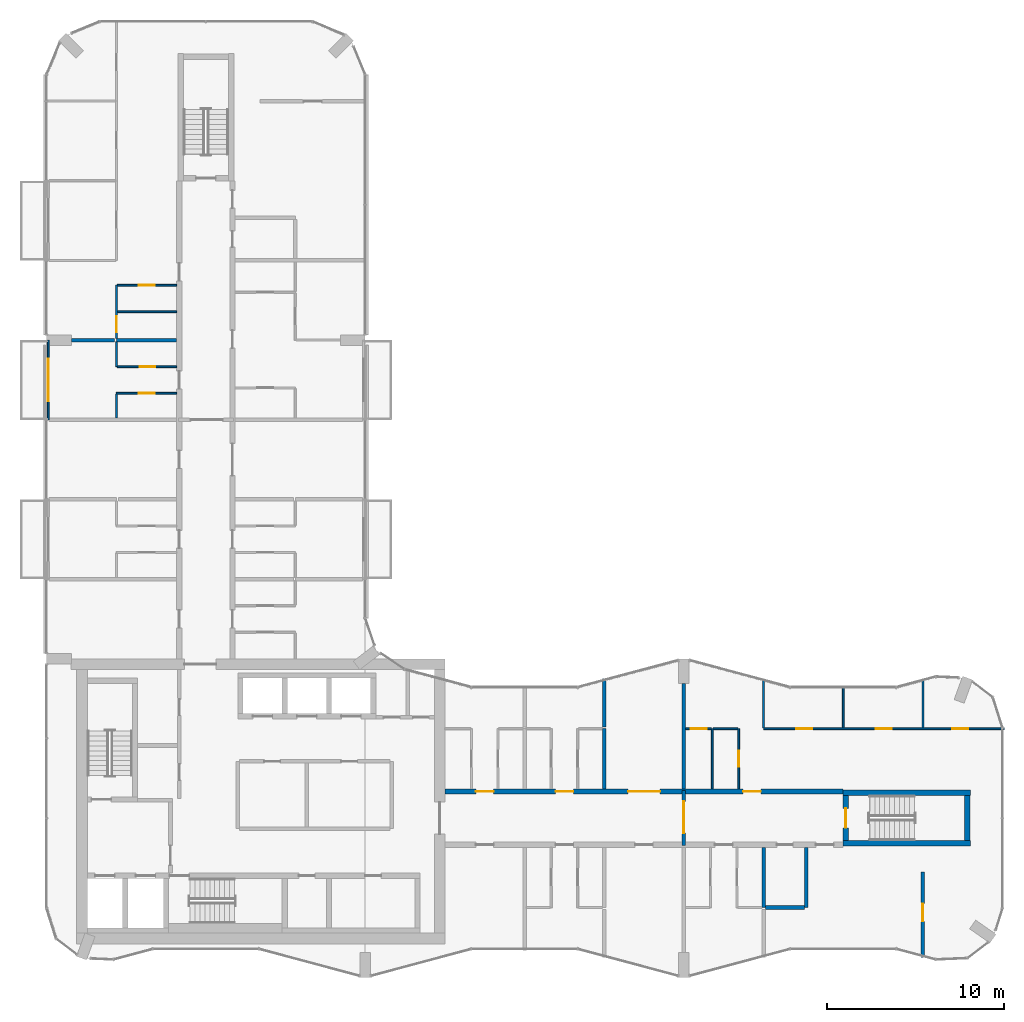
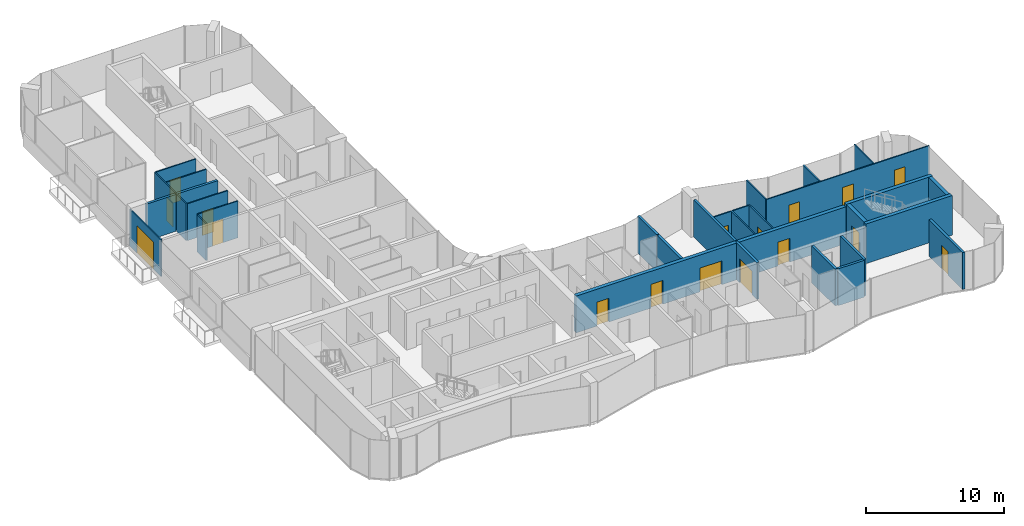
# One storey, part 12 of 16: 31 walls, 17 doors, 17 openings.
"""IFC4 building model written with IfcOpenShell, lengths in metres."""

from ifc_helpers import new_model, si_unit, direction, frame, frame_2d, origin, place, context, subcontext, project, spatial, rectangle, extrude, material, layer, layer_set, type_object, element, fill, save


model = new_model("IFC4")

# Units and contexts
model_context = context("Model", 3, precision=1e-05, world=origin(), true_north=direction((0.0, 1.0)))
body_context = subcontext(model_context, "Body", "Model", "MODEL_VIEW")
ifc_project = project(units=[si_unit("LENGTHUNIT", "METRE"), si_unit("AREAUNIT", "SQUARE_METRE"), si_unit("VOLUMEUNIT", "CUBIC_METRE"), si_unit("PLANEANGLEUNIT", "RADIAN"), si_unit("MASSUNIT", "GRAM", prefix="KILO")], contexts=[model_context])

# Site, building, storey
site_placement = place(None, origin())
site = spatial("IfcSite", under=ifc_project, at=site_placement, CompositionType="ELEMENT")
building_placement = place(site_placement, origin())
building = spatial("IfcBuilding", under=site, at=building_placement, Name="Plateau Cross Towers", CompositionType="ELEMENT")
storey_placement = place(building_placement, frame((0.0, 0.0, 160.39990234375)))
storey = spatial("IfcBuildingStorey", under=building, at=storey_placement, Name="L41", CompositionType="ELEMENT", Elevation=160.39990234375)

# Wall, opening, door
ifc_material_1 = material(Name="Aluminium framed glazing", Category="aluminium")
ifc_layer_1 = layer(ifc_material_1, 0.10009765625)
ifc_layer_set_1 = layer_set([ifc_layer_1], Name="Aluminium framed glazing")
wall_type_1 = type_object("IfcWallType", Name="Balcony screen wall 100", PredefinedType="STANDARD", material=ifc_layer_set_1)
wall_1_placement = place(storey_placement, frame((0.10009765625, 31.5, 0.0), z_axis=(0.0, 0.0, 1.0), x_axis=(0.0, 1.0, 0.0)))
wall_1 = element("IfcWall", 1, at=wall_1_placement, inside=storey, type_object=wall_type_1, Name="Balcony screen wall A-BAL-L41-02", PredefinedType="STANDARD", context=body_context, shape_type="SweptSolid", body=[
    extrude(rectangle(XDim=4.5, YDim=0.10009765625, at=frame_2d((2.25, 0.0))), origin(), (0.0, 0.0, 1.0), 3.25),
])
opening_1_placement = place(wall_1_placement, frame((1.050048828125, 0.0, 0.0)))
opening_1 = element("IfcOpeningElement", 2, at=opening_1_placement, cuts=wall_1, Name="Opening D-B24", PredefinedType="OPENING", context=body_context, shape_type="SweptSolid", body=[
    extrude(rectangle(XDim=2.39990234375, YDim=2.39990234375, at=frame_2d((1.199951171875, 1.199951171875))), frame((0.0, 0.06005859375, 0.0), z_axis=(0.0, -1.0, 0.0), x_axis=(1.0, 0.0, 0.0)), (0.0, 0.0, 1.0), 0.1201171875),
])
ifc_material_2 = material(Name="Aluminium frame, double glazing", Category="aluminium")
door_type_1 = type_object("IfcDoorType", Name="Balcony sliding door 2400", OperationType="NOTDEFINED", PredefinedType="DOOR", material=ifc_material_2)
door_1_placement = place(opening_1_placement, origin())
door_1 = element("IfcDoor", 3, at=door_1_placement, inside=storey, type_object=door_type_1, Name="Balcony door A-BAL-L41-02", OperationType="SINGLE_SWING_LEFT", OverallHeight=2.39990234375, OverallWidth=2.39990234375, PredefinedType="DOOR", context=body_context, shape_type="SweptSolid", body=[
    extrude(rectangle(XDim=2.39990234375, YDim=2.39990234375, at=frame_2d((1.199951171875, 1.199951171875))), frame((0.0, 0.02490234375, 0.0), z_axis=(0.0, -1.0, 0.0), x_axis=(1.0, 0.0, 0.0)), (0.0, 0.0, 1.0), 0.050048828125),
])
fill(opening_1, door_1)

# Wall, openings, doors
ifc_material_3 = material(Name="Concrete C60/75", Category="concrete")
ifc_layer_2 = layer(ifc_material_3, 0.300048828125)
ifc_layer_set_2 = layer_set([ifc_layer_2], Name="Concrete C60/75")
wall_type_2 = type_object("IfcWallType", Name="Corridor wall 300", PredefinedType="SHEAR", material=ifc_layer_set_2)
wall_2_placement = place(storey_placement, frame((22.5, 10.5, 0.0), z_axis=(0.0, 0.0, 1.0), x_axis=(1.0, 0.0, 0.0)))
wall_2 = element("IfcWall", 4, at=wall_2_placement, inside=storey, type_object=wall_type_2, Name="A-cw-S2@L41", PredefinedType="SHEAR", context=body_context, shape_type="SweptSolid", body=[
    extrude(rectangle(XDim=22.5, YDim=0.300048828125, at=frame_2d((11.25, 0.0))), origin(), (0.0, 0.0, 1.0), 3.25),
])
opening_2_placement = place(wall_2_placement, frame((1.75, 0.0, 0.0)))
opening_2 = element("IfcOpeningElement", 5, at=opening_2_placement, cuts=wall_2, Name="Opening 41-07", PredefinedType="OPENING", context=body_context, shape_type="SweptSolid", body=[
    extrude(rectangle(XDim=1.0, YDim=2.10009765625, at=frame_2d((0.5, 1.050048828125))), frame((0.0, 0.159912109375, 0.0), z_axis=(0.0, -1.0, 0.0), x_axis=(1.0, 0.0, 0.0)), (0.0, 0.0, 1.0), 0.320068359375),
])
opening_3_placement = place(wall_2_placement, frame((6.25, 0.0, 0.0)))
opening_3 = element("IfcOpeningElement", 6, at=opening_3_placement, cuts=wall_2, Name="Opening 41-08", PredefinedType="OPENING", context=body_context, shape_type="SweptSolid", body=[
    extrude(rectangle(XDim=1.0, YDim=2.10009765625, at=frame_2d((0.5, 1.050048828125))), frame((0.0, 0.159912109375, 0.0), z_axis=(0.0, -1.0, 0.0), x_axis=(1.0, 0.0, 0.0)), (0.0, 0.0, 1.0), 0.320068359375),
])
opening_4_placement = place(wall_2_placement, frame((10.35009765625, 0.0, 0.0)))
opening_4 = element("IfcOpeningElement", 7, at=opening_4_placement, cuts=wall_2, Name="Opening 41-09", PredefinedType="OPENING", context=body_context, shape_type="SweptSolid", body=[
    extrude(rectangle(XDim=1.800048828125, YDim=2.10009765625, at=frame_2d((0.89990234375, 1.050048828125))), frame((0.0, 0.159912109375, 0.0), z_axis=(0.0, -1.0, 0.0), x_axis=(1.0, 0.0, 0.0)), (0.0, 0.0, 1.0), 0.320068359375),
])
opening_5_placement = place(wall_2_placement, frame((16.85009765625, 0.0, 0.0)))
opening_5 = element("IfcOpeningElement", 8, at=opening_5_placement, cuts=wall_2, Name="Opening 41-10", PredefinedType="OPENING", context=body_context, shape_type="SweptSolid", body=[
    extrude(rectangle(XDim=1.0, YDim=2.10009765625, at=frame_2d((0.5, 1.050048828125))), frame((0.0, 0.159912109375, 0.0), z_axis=(0.0, -1.0, 0.0), x_axis=(1.0, 0.0, 0.0)), (0.0, 0.0, 1.0), 0.320068359375),
])
ifc_material_4 = material(Name="Timber, fire-resisting leaf", Category="wood")
door_type_2 = type_object("IfcDoorType", Name="Flat entrance door 1000", OperationType="NOTDEFINED", PredefinedType="DOOR", material=ifc_material_4)
door_2_placement = place(opening_2_placement, origin())
door_2 = element("IfcDoor", 9, at=door_2_placement, inside=storey, type_object=door_type_2, Name="Door 41-07", OperationType="SINGLE_SWING_LEFT", OverallHeight=2.10009765625, OverallWidth=1.0, PredefinedType="DOOR", context=body_context, shape_type="SweptSolid", body=[
    extrude(rectangle(XDim=1.0, YDim=2.10009765625, at=frame_2d((0.5, 1.050048828125))), frame((0.0, 0.02490234375, 0.0), z_axis=(0.0, -1.0, 0.0), x_axis=(1.0, 0.0, 0.0)), (0.0, 0.0, 1.0), 0.050048828125),
])
fill(opening_2, door_2)
door_3_placement = place(opening_3_placement, origin())
door_3 = element("IfcDoor", 10, at=door_3_placement, inside=storey, type_object=door_type_2, Name="Door 41-08", OperationType="SINGLE_SWING_LEFT", OverallHeight=2.10009765625, OverallWidth=1.0, PredefinedType="DOOR", context=body_context, shape_type="SweptSolid", body=[
    extrude(rectangle(XDim=1.0, YDim=2.10009765625, at=frame_2d((0.5, 1.050048828125))), frame((0.0, 0.02490234375, 0.0), z_axis=(0.0, -1.0, 0.0), x_axis=(1.0, 0.0, 0.0)), (0.0, 0.0, 1.0), 0.050048828125),
])
fill(opening_3, door_3)
door_4_placement = place(opening_5_placement, origin())
door_4 = element("IfcDoor", 11, at=door_4_placement, inside=storey, type_object=door_type_2, Name="Door 41-10", OperationType="SINGLE_SWING_RIGHT", OverallHeight=2.10009765625, OverallWidth=1.0, PredefinedType="DOOR", context=body_context, shape_type="SweptSolid", body=[
    extrude(rectangle(XDim=1.0, YDim=2.10009765625, at=frame_2d((0.5, 1.050048828125))), frame((0.0, 0.02490234375, 0.0), z_axis=(0.0, -1.0, 0.0), x_axis=(1.0, 0.0, 0.0)), (0.0, 0.0, 1.0), 0.050048828125),
])
fill(opening_5, door_4)
ifc_material_5 = material(Name="Timber, fire-resisting leaves", Category="wood")
door_type_3 = type_object("IfcDoorType", Name="Flat floor fire door pair 1800", OperationType="NOTDEFINED", PredefinedType="DOOR", material=ifc_material_5)
door_5_placement = place(opening_4_placement, origin())
door_5 = element("IfcDoor", 12, at=door_5_placement, inside=storey, type_object=door_type_3, Name="Door 41-09", OperationType="SINGLE_SWING_LEFT", OverallHeight=2.10009765625, OverallWidth=1.800048828125, PredefinedType="DOOR", context=body_context, shape_type="SweptSolid", body=[
    extrude(rectangle(XDim=1.800048828125, YDim=2.10009765625, at=frame_2d((0.89990234375, 1.050048828125))), frame((0.0, 0.02490234375, 0.0), z_axis=(0.0, -1.0, 0.0), x_axis=(1.0, 0.0, 0.0)), (0.0, 0.0, 1.0), 0.050048828125),
])
fill(opening_4, door_5)

# Wall, opening, door
ifc_material_6 = material(Name="Gypsum board on steel studs", Category="steel")
ifc_layer_3 = layer(ifc_material_6, 0.10009765625)
ifc_layer_set_3 = layer_set([ifc_layer_3], Name="Gypsum board on steel studs")
wall_type_3 = type_object("IfcWallType", Name="Flat partition 100", PredefinedType="PARTITIONING", material=ifc_layer_set_3)
wall_3_placement = place(storey_placement, frame((37.550048828125, 14.050048828125, 0.0), z_axis=(0.0, 0.0, 1.0), x_axis=(-1.0, 0.0, 0.0)))
wall_3 = element("IfcWall", 13, at=wall_3_placement, inside=storey, type_object=wall_type_3, Name="Partition wall", PredefinedType="PARTITIONING", context=body_context, shape_type="SweptSolid", body=[
    extrude(rectangle(XDim=1.449951171875, YDim=0.10009765625, at=frame_2d((0.72509765625, 0.0))), origin(), (0.0, 0.0, 1.0), 3.25),
])
opening_6_placement = place(wall_3_placement, frame((0.25, 0.0, 0.0)))
opening_6 = element("IfcOpeningElement", 14, at=opening_6_placement, cuts=wall_3, Name="Opening 41-34", PredefinedType="OPENING", context=body_context, shape_type="SweptSolid", body=[
    extrude(rectangle(XDim=0.89990234375, YDim=2.10009765625, at=frame_2d((0.449951171875, 1.050048828125))), frame((0.0, 0.06005859375, 0.0), z_axis=(0.0, -1.0, 0.0), x_axis=(1.0, 0.0, 0.0)), (0.0, 0.0, 1.0), 0.1201171875),
])
ifc_material_7 = material(Name="Timber leaf", Category="wood")
door_type_4 = type_object("IfcDoorType", Name="Flat room door 900", OperationType="NOTDEFINED", PredefinedType="DOOR", material=ifc_material_7)
door_6_placement = place(opening_6_placement, origin())
door_6 = element("IfcDoor", 15, at=door_6_placement, inside=storey, type_object=door_type_4, Name="Door 41-34", OperationType="SINGLE_SWING_LEFT", OverallHeight=2.10009765625, OverallWidth=0.89990234375, PredefinedType="DOOR", context=body_context, shape_type="SweptSolid", body=[
    extrude(rectangle(XDim=0.89990234375, YDim=2.10009765625, at=frame_2d((0.449951171875, 1.050048828125))), frame((0.0, 0.02490234375, 0.0), z_axis=(0.0, -1.0, 0.0), x_axis=(1.0, 0.0, 0.0)), (0.0, 0.0, 1.0), 0.050048828125),
])
fill(opening_6, door_6)

# Wall
wall_4_placement = place(storey_placement, frame((39.050048828125, 14.050048828125, 0.0), z_axis=(0.0, 0.0, 1.0), x_axis=(-1.0, 0.0, 0.0)))
element("IfcWall", 16, at=wall_4_placement, inside=storey, type_object=wall_type_3, Name="Partition wall", PredefinedType="PARTITIONING", context=body_context, shape_type="SweptSolid", body=[
    extrude(rectangle(XDim=1.400146484375, YDim=0.10009765625, at=frame_2d((0.7001953125, 0.0))), origin(), (0.0, 0.0, 1.0), 3.25),
])

# Wall, openings, doors
wall_5_placement = place(storey_placement, frame((40.5, 14.050048828125, 0.0), z_axis=(0.0, 0.0, 1.0), x_axis=(1.0, 0.0, 0.0)))
wall_5 = element("IfcWall", 17, at=wall_5_placement, inside=storey, type_object=wall_type_3, Name="Partition wall", PredefinedType="PARTITIONING", context=body_context, shape_type="SweptSolid", body=[
    extrude(rectangle(XDim=13.580078125, YDim=0.10009765625, at=frame_2d((6.7900390625, 0.0))), origin(), (0.0, 0.0, 1.0), 3.25),
])
opening_7_placement = place(wall_5_placement, frame((1.85009765625, 0.0, 0.0)))
opening_7 = element("IfcOpeningElement", 18, at=opening_7_placement, cuts=wall_5, Name="Opening 41-36", PredefinedType="OPENING", context=body_context, shape_type="SweptSolid", body=[
    extrude(rectangle(XDim=0.89990234375, YDim=2.10009765625, at=frame_2d((0.449951171875, 1.050048828125))), frame((0.0, 0.06005859375, 0.0), z_axis=(0.0, -1.0, 0.0), x_axis=(1.0, 0.0, 0.0)), (0.0, 0.0, 1.0), 0.1201171875),
])
opening_8_placement = place(wall_5_placement, frame((6.35009765625, 0.0, 0.0)))
opening_8 = element("IfcOpeningElement", 19, at=opening_8_placement, cuts=wall_5, Name="Opening 41-37", PredefinedType="OPENING", context=body_context, shape_type="SweptSolid", body=[
    extrude(rectangle(XDim=0.89990234375, YDim=2.10009765625, at=frame_2d((0.449951171875, 1.050048828125))), frame((0.0, 0.06005859375, 0.0), z_axis=(0.0, -1.0, 0.0), x_axis=(1.0, 0.0, 0.0)), (0.0, 0.0, 1.0), 0.1201171875),
])
opening_9_placement = place(wall_5_placement, frame((10.64990234375, 0.0, 0.0)))
opening_9 = element("IfcOpeningElement", 20, at=opening_9_placement, cuts=wall_5, Name="Opening 41-38", PredefinedType="OPENING", context=body_context, shape_type="SweptSolid", body=[
    extrude(rectangle(XDim=0.89990234375, YDim=2.10009765625, at=frame_2d((0.449951171875, 1.050048828125))), frame((0.0, 0.06005859375, 0.0), z_axis=(0.0, -1.0, 0.0), x_axis=(1.0, 0.0, 0.0)), (0.0, 0.0, 1.0), 0.1201171875),
])
door_7_placement = place(opening_7_placement, origin())
door_7 = element("IfcDoor", 21, at=door_7_placement, inside=storey, type_object=door_type_4, Name="Door 41-36", OperationType="SINGLE_SWING_LEFT", OverallHeight=2.10009765625, OverallWidth=0.89990234375, PredefinedType="DOOR", context=body_context, shape_type="SweptSolid", body=[
    extrude(rectangle(XDim=0.89990234375, YDim=2.10009765625, at=frame_2d((0.449951171875, 1.050048828125))), frame((0.0, 0.02490234375, 0.0), z_axis=(0.0, -1.0, 0.0), x_axis=(1.0, 0.0, 0.0)), (0.0, 0.0, 1.0), 0.050048828125),
])
fill(opening_7, door_7)
door_8_placement = place(opening_8_placement, origin())
door_8 = element("IfcDoor", 22, at=door_8_placement, inside=storey, type_object=door_type_4, Name="Door 41-37", OperationType="SINGLE_SWING_RIGHT", OverallHeight=2.10009765625, OverallWidth=0.89990234375, PredefinedType="DOOR", context=body_context, shape_type="SweptSolid", body=[
    extrude(rectangle(XDim=0.89990234375, YDim=2.10009765625, at=frame_2d((0.449951171875, 1.050048828125))), frame((0.0, 0.02490234375, 0.0), z_axis=(0.0, -1.0, 0.0), x_axis=(1.0, 0.0, 0.0)), (0.0, 0.0, 1.0), 0.050048828125),
])
fill(opening_8, door_8)
door_9_placement = place(opening_9_placement, origin())
door_9 = element("IfcDoor", 23, at=door_9_placement, inside=storey, type_object=door_type_4, Name="Door 41-38", OperationType="SINGLE_SWING_RIGHT", OverallHeight=2.10009765625, OverallWidth=0.89990234375, PredefinedType="DOOR", context=body_context, shape_type="SweptSolid", body=[
    extrude(rectangle(XDim=0.89990234375, YDim=2.10009765625, at=frame_2d((0.449951171875, 1.050048828125))), frame((0.0, 0.02490234375, 0.0), z_axis=(0.0, -1.0, 0.0), x_axis=(1.0, 0.0, 0.0)), (0.0, 0.0, 1.0), 0.050048828125),
])
fill(opening_9, door_9)

# Wall, opening, door
wall_6_placement = place(storey_placement, frame((7.35009765625, 33.0, 0.0), z_axis=(0.0, 0.0, 1.0), x_axis=(-1.0, 0.0, 0.0)))
wall_6 = element("IfcWall", 24, at=wall_6_placement, inside=storey, type_object=wall_type_3, Name="Partition wall", PredefinedType="PARTITIONING", context=body_context, shape_type="SweptSolid", body=[
    extrude(rectangle(XDim=3.400146484375, YDim=0.10009765625, at=frame_2d((1.7001953125, 0.0))), origin(), (0.0, 0.0, 1.0), 3.25),
])
opening_10_placement = place(wall_6_placement, frame((1.25, 0.0, 0.0)))
opening_10 = element("IfcOpeningElement", 25, at=opening_10_placement, cuts=wall_6, Name="Opening 41-41", PredefinedType="OPENING", context=body_context, shape_type="SweptSolid", body=[
    extrude(rectangle(XDim=0.89990234375, YDim=2.10009765625, at=frame_2d((0.449951171875, 1.050048828125))), frame((0.0, 0.06005859375, 0.0), z_axis=(0.0, -1.0, 0.0), x_axis=(1.0, 0.0, 0.0)), (0.0, 0.0, 1.0), 0.1201171875),
])
door_10_placement = place(opening_10_placement, origin())
door_10 = element("IfcDoor", 26, at=door_10_placement, inside=storey, type_object=door_type_4, Name="Door 41-41", OperationType="SINGLE_SWING_RIGHT", OverallHeight=2.10009765625, OverallWidth=0.89990234375, PredefinedType="DOOR", context=body_context, shape_type="SweptSolid", body=[
    extrude(rectangle(XDim=0.89990234375, YDim=2.10009765625, at=frame_2d((0.449951171875, 1.050048828125))), frame((0.0, 0.02490234375, 0.0), z_axis=(0.0, -1.0, 0.0), x_axis=(1.0, 0.0, 0.0)), (0.0, 0.0, 1.0), 0.050048828125),
])
fill(opening_10, door_10)

wall_7_placement = place(storey_placement, frame((4.0, 34.5, 0.0), z_axis=(0.0, 0.0, 1.0), x_axis=(1.0, 0.0, 0.0)))
wall_7 = element("IfcWall", 27, at=wall_7_placement, inside=storey, type_object=wall_type_3, Name="Partition wall", PredefinedType="PARTITIONING", context=body_context, shape_type="SweptSolid", body=[
    extrude(rectangle(XDim=3.35009765625, YDim=0.10009765625, at=frame_2d((1.675048828125, 0.0))), origin(), (0.0, 0.0, 1.0), 3.25),
])
opening_11_placement = place(wall_7_placement, frame((1.25, 0.0, 0.0)))
opening_11 = element("IfcOpeningElement", 28, at=opening_11_placement, cuts=wall_7, Name="Opening 41-42", PredefinedType="OPENING", context=body_context, shape_type="SweptSolid", body=[
    extrude(rectangle(XDim=0.89990234375, YDim=2.10009765625, at=frame_2d((0.449951171875, 1.050048828125))), frame((0.0, 0.06005859375, 0.0), z_axis=(0.0, -1.0, 0.0), x_axis=(1.0, 0.0, 0.0)), (0.0, 0.0, 1.0), 0.1201171875),
])
door_11_placement = place(opening_11_placement, origin())
door_11 = element("IfcDoor", 29, at=door_11_placement, inside=storey, type_object=door_type_4, Name="Door 41-42", OperationType="SINGLE_SWING_RIGHT", OverallHeight=2.10009765625, OverallWidth=0.89990234375, PredefinedType="DOOR", context=body_context, shape_type="SweptSolid", body=[
    extrude(rectangle(XDim=0.89990234375, YDim=2.10009765625, at=frame_2d((0.449951171875, 1.050048828125))), frame((0.0, 0.02490234375, 0.0), z_axis=(0.0, -1.0, 0.0), x_axis=(1.0, 0.0, 0.0)), (0.0, 0.0, 1.0), 0.050048828125),
])
fill(opening_11, door_11)

# Wall
wall_8_placement = place(storey_placement, frame((7.35009765625, 37.60009765625, 0.0), z_axis=(0.0, 0.0, 1.0), x_axis=(-1.0, 0.0, 0.0)))
element("IfcWall", 30, at=wall_8_placement, inside=storey, type_object=wall_type_3, Name="Partition wall", PredefinedType="PARTITIONING", context=body_context, shape_type="SweptSolid", body=[
    extrude(rectangle(XDim=3.35009765625, YDim=0.10009765625, at=frame_2d((1.675048828125, 0.0))), origin(), (0.0, 0.0, 1.0), 3.25),
])

# Wall, opening, door
wall_9_placement = place(storey_placement, frame((7.35009765625, 39.10009765625, 0.0), z_axis=(0.0, 0.0, 1.0), x_axis=(-1.0, 0.0, 0.0)))
wall_9 = element("IfcWall", 31, at=wall_9_placement, inside=storey, type_object=wall_type_3, Name="Partition wall", PredefinedType="PARTITIONING", context=body_context, shape_type="SweptSolid", body=[
    extrude(rectangle(XDim=3.35009765625, YDim=0.10009765625, at=frame_2d((1.675048828125, 0.0))), origin(), (0.0, 0.0, 1.0), 3.25),
])
opening_12_placement = place(wall_9_placement, frame((1.25, 0.0, 0.0)))
opening_12 = element("IfcOpeningElement", 32, at=opening_12_placement, cuts=wall_9, Name="Opening 41-44", PredefinedType="OPENING", context=body_context, shape_type="SweptSolid", body=[
    extrude(rectangle(XDim=0.89990234375, YDim=2.10009765625, at=frame_2d((0.449951171875, 1.050048828125))), frame((0.0, 0.06005859375, 0.0), z_axis=(0.0, -1.0, 0.0), x_axis=(1.0, 0.0, 0.0)), (0.0, 0.0, 1.0), 0.1201171875),
])
door_12_placement = place(opening_12_placement, origin())
door_12 = element("IfcDoor", 33, at=door_12_placement, inside=storey, type_object=door_type_4, Name="Door 41-44", OperationType="SINGLE_SWING_RIGHT", OverallHeight=2.10009765625, OverallWidth=0.89990234375, PredefinedType="DOOR", context=body_context, shape_type="SweptSolid", body=[
    extrude(rectangle(XDim=0.89990234375, YDim=2.10009765625, at=frame_2d((0.449951171875, 1.050048828125))), frame((0.0, 0.02490234375, 0.0), z_axis=(0.0, -1.0, 0.0), x_axis=(1.0, 0.0, 0.0)), (0.0, 0.0, 1.0), 0.050048828125),
])
fill(opening_12, door_12)

# Walls
wall_10_placement = place(storey_placement, frame((3.949951171875, 32.949951171875, 0.0), z_axis=(0.0, 0.0, 1.0), x_axis=(0.0, -1.0, 0.0)))
element("IfcWall", 34, at=wall_10_placement, inside=storey, type_object=wall_type_3, Name="Partition wall", PredefinedType="PARTITIONING", context=body_context, shape_type="SweptSolid", body=[
    extrude(rectangle(XDim=1.349853515625, YDim=0.10009765625, at=frame_2d((0.6748046875, 0.0))), origin(), (0.0, 0.0, 1.0), 3.25),
])
wall_11_placement = place(storey_placement, frame((3.949951171875, 35.89990234375, 0.0), z_axis=(0.0, 0.0, 1.0), x_axis=(0.0, -1.0, 0.0)))
element("IfcWall", 35, at=wall_11_placement, inside=storey, type_object=wall_type_3, Name="Partition wall", PredefinedType="PARTITIONING", context=body_context, shape_type="SweptSolid", body=[
    extrude(rectangle(XDim=1.39990234375, YDim=0.10009765625, at=frame_2d((0.699951171875, 0.0))), origin(), (0.0, 0.0, 1.0), 3.25),
])

# Wall, opening, door
wall_12_placement = place(storey_placement, frame((3.949951171875, 39.10009765625, 0.0), z_axis=(0.0, 0.0, 1.0), x_axis=(0.0, -1.0, 0.0)))
wall_12 = element("IfcWall", 36, at=wall_12_placement, inside=storey, type_object=wall_type_3, Name="Partition wall", PredefinedType="PARTITIONING", context=body_context, shape_type="SweptSolid", body=[
    extrude(rectangle(XDim=3.0, YDim=0.10009765625, at=frame_2d((1.5, 0.0))), origin(), (0.0, 0.0, 1.0), 3.25),
])
opening_13_placement = place(wall_12_placement, frame((1.75, 0.0, 0.0)))
opening_13 = element("IfcOpeningElement", 37, at=opening_13_placement, cuts=wall_12, Name="Opening 41-43", PredefinedType="OPENING", context=body_context, shape_type="SweptSolid", body=[
    extrude(rectangle(XDim=0.89990234375, YDim=2.10009765625, at=frame_2d((0.449951171875, 1.050048828125))), frame((0.0, 0.06005859375, 0.0), z_axis=(0.0, -1.0, 0.0), x_axis=(1.0, 0.0, 0.0)), (0.0, 0.0, 1.0), 0.1201171875),
])
door_13_placement = place(opening_13_placement, origin())
door_13 = element("IfcDoor", 38, at=door_13_placement, inside=storey, type_object=door_type_4, Name="Door 41-43", OperationType="SINGLE_SWING_RIGHT", OverallHeight=2.10009765625, OverallWidth=0.89990234375, PredefinedType="DOOR", context=body_context, shape_type="SweptSolid", body=[
    extrude(rectangle(XDim=0.89990234375, YDim=2.10009765625, at=frame_2d((0.449951171875, 1.050048828125))), frame((0.0, 0.02490234375, 0.0), z_axis=(0.0, -1.0, 0.0), x_axis=(1.0, 0.0, 0.0)), (0.0, 0.0, 1.0), 0.050048828125),
])
fill(opening_13, door_13)

# Wall
wall_13_placement = place(storey_placement, frame((37.60009765625, 10.64990234375, 0.0), z_axis=(0.0, 0.0, 1.0), x_axis=(0.0, 1.0, 0.0)))
element("IfcWall", 39, at=wall_13_placement, inside=storey, type_object=wall_type_3, Name="Partition wall", PredefinedType="PARTITIONING", context=body_context, shape_type="SweptSolid", body=[
    extrude(rectangle(XDim=3.400146484375, YDim=0.10009765625, at=frame_2d((1.7001953125, 0.0))), origin(), (0.0, 0.0, 1.0), 3.25),
])

# Wall, opening, door
wall_14_placement = place(storey_placement, frame((39.10009765625, 10.64990234375, 0.0), z_axis=(0.0, 0.0, 1.0), x_axis=(0.0, 1.0, 0.0)))
wall_14 = element("IfcWall", 40, at=wall_14_placement, inside=storey, type_object=wall_type_3, Name="Partition wall", PredefinedType="PARTITIONING", context=body_context, shape_type="SweptSolid", body=[
    extrude(rectangle(XDim=3.400146484375, YDim=0.10009765625, at=frame_2d((1.7001953125, 0.0))), origin(), (0.0, 0.0, 1.0), 3.25),
])
opening_14_placement = place(wall_14_placement, frame((1.25, 0.0, 0.0)))
opening_14 = element("IfcOpeningElement", 41, at=opening_14_placement, cuts=wall_14, Name="Opening 41-35", PredefinedType="OPENING", context=body_context, shape_type="SweptSolid", body=[
    extrude(rectangle(XDim=0.89990234375, YDim=2.10009765625, at=frame_2d((0.449951171875, 1.050048828125))), frame((0.0, 0.06005859375, 0.0), z_axis=(0.0, -1.0, 0.0), x_axis=(1.0, 0.0, 0.0)), (0.0, 0.0, 1.0), 0.1201171875),
])
door_14_placement = place(opening_14_placement, origin())
door_14 = element("IfcDoor", 42, at=door_14_placement, inside=storey, type_object=door_type_4, Name="Door 41-35", OperationType="SINGLE_SWING_LEFT", OverallHeight=2.10009765625, OverallWidth=0.89990234375, PredefinedType="DOOR", context=body_context, shape_type="SweptSolid", body=[
    extrude(rectangle(XDim=0.89990234375, YDim=2.10009765625, at=frame_2d((0.449951171875, 1.050048828125))), frame((0.0, 0.02490234375, 0.0), z_axis=(0.0, -1.0, 0.0), x_axis=(1.0, 0.0, 0.0)), (0.0, 0.0, 1.0), 0.050048828125),
])
fill(opening_14, door_14)

# Walls
wall_15_placement = place(storey_placement, frame((40.5, 16.877685546875, 0.0), z_axis=(0.0, 0.0, 1.0), x_axis=(0.0, -1.0, 0.0)))
element("IfcWall", 43, at=wall_15_placement, inside=storey, type_object=wall_type_3, Name="Partition wall", PredefinedType="PARTITIONING", context=body_context, shape_type="SweptSolid", body=[
    extrude(rectangle(XDim=2.777587890625, YDim=0.10009765625, at=frame_2d((1.388671875, 0.0))), origin(), (0.0, 0.0, 1.0), 3.25),
])
wall_16_placement = place(storey_placement, frame((45.0, 14.10009765625, 0.0), z_axis=(0.0, 0.0, 1.0), x_axis=(0.0, 1.0, 0.0)))
element("IfcWall", 44, at=wall_16_placement, inside=storey, type_object=wall_type_3, Name="Partition wall", PredefinedType="PARTITIONING", context=body_context, shape_type="SweptSolid", body=[
    extrude(rectangle(XDim=2.373046875, YDim=0.10009765625, at=frame_2d((1.1865234375, 0.0))), origin(), (0.0, 0.0, 1.0), 3.25),
])
wall_17_placement = place(storey_placement, frame((49.5, 14.10009765625, 0.0), z_axis=(0.0, 0.0, 1.0), x_axis=(0.0, 1.0, 0.0)))
element("IfcWall", 45, at=wall_17_placement, inside=storey, type_object=wall_type_3, Name="Partition wall", PredefinedType="PARTITIONING", context=body_context, shape_type="SweptSolid", body=[
    extrude(rectangle(XDim=2.777587890625, YDim=0.10009765625, at=frame_2d((1.388671875, 0.0))), origin(), (0.0, 0.0, 1.0), 3.25),
])
ifc_material_8 = material(Name="Gypsum board on steel studs, two layers each side", Category="steel")
ifc_layer_4 = layer(ifc_material_8, 0.199951171875)
ifc_layer_set_4 = layer_set([ifc_layer_4], Name="Gypsum board on steel studs, two layers each side")
wall_type_4 = type_object("IfcWallType", Name="Flat party wall 200", PredefinedType="PARTITIONING", material=ifc_layer_set_4)
wall_18_placement = place(storey_placement, frame((40.60009765625, 3.949951171875, 0.0), z_axis=(0.0, 0.0, 1.0), x_axis=(1.0, 0.0, 0.0)))
element("IfcWall", 46, at=wall_18_placement, inside=storey, type_object=wall_type_4, Name="Party wall", PredefinedType="PARTITIONING", context=body_context, shape_type="SweptSolid", body=[
    extrude(rectangle(XDim=2.199951171875, YDim=0.199951171875, at=frame_2d((1.10009765625, 0.0))), origin(), (0.0, 0.0, 1.0), 3.25),
])
wall_19_placement = place(storey_placement, frame((7.35009765625, 36.0, 0.0), z_axis=(0.0, 0.0, 1.0), x_axis=(-1.0, 0.0, 0.0)))
element("IfcWall", 47, at=wall_19_placement, inside=storey, type_object=wall_type_4, Name="Party wall", PredefinedType="PARTITIONING", context=body_context, shape_type="SweptSolid", body=[
    extrude(rectangle(XDim=3.400146484375, YDim=0.199951171875, at=frame_2d((1.7001953125, 0.0))), origin(), (0.0, 0.0, 1.0), 3.25),
])
wall_20_placement = place(storey_placement, frame((1.39990234375, 36.0, 0.0), z_axis=(0.0, 0.0, 1.0), x_axis=(1.0, 0.0, 0.0)))
element("IfcWall", 48, at=wall_20_placement, inside=storey, type_object=wall_type_4, Name="Party wall", PredefinedType="PARTITIONING", context=body_context, shape_type="SweptSolid", body=[
    extrude(rectangle(XDim=2.4501953125, YDim=0.199951171875, at=frame_2d((1.22509765625, 0.0))), origin(), (0.0, 0.0, 1.0), 3.25),
])
wall_21_placement = place(storey_placement, frame((31.5, 16.877685546875, 0.0), z_axis=(0.0, 0.0, 1.0), x_axis=(0.0, -1.0, 0.0)))
element("IfcWall", 49, at=wall_21_placement, inside=storey, type_object=wall_type_4, Name="Party wall", PredefinedType="PARTITIONING", context=body_context, shape_type="SweptSolid", body=[
    extrude(rectangle(XDim=2.727783203125, YDim=0.199951171875, at=frame_2d((1.36376953125, 0.0))), origin(), (0.0, 0.0, 1.0), 3.25),
])
wall_22_placement = place(storey_placement, frame((31.5, 10.64990234375, 0.0), z_axis=(0.0, 0.0, 1.0), x_axis=(0.0, 1.0, 0.0)))
element("IfcWall", 50, at=wall_22_placement, inside=storey, type_object=wall_type_4, Name="Party wall", PredefinedType="PARTITIONING", context=body_context, shape_type="SweptSolid", body=[
    extrude(rectangle(XDim=3.400146484375, YDim=0.199951171875, at=frame_2d((1.7001953125, 0.0))), origin(), (0.0, 0.0, 1.0), 3.25),
])
wall_23_placement = place(storey_placement, frame((36.0, 10.64990234375, 0.0), z_axis=(0.0, 0.0, 1.0), x_axis=(0.0, 1.0, 0.0)))
element("IfcWall", 51, at=wall_23_placement, inside=storey, type_object=wall_type_4, Name="Party wall", PredefinedType="PARTITIONING", context=body_context, shape_type="SweptSolid", body=[
    extrude(rectangle(XDim=5.9501953125, YDim=0.199951171875, at=frame_2d((2.97509765625, 0.0))), origin(), (0.0, 0.0, 1.0), 3.25),
])
for number, where, z_axis, x_axis, name in (
    (52, (40.5, 3.949951171875, 0.0), (0.0, 0.0, 1.0), (0.0, 1.0, 0.0), "Party wall"),
    (53, (42.89990234375, 3.949951171875, 0.0), (0.0, 0.0, 1.0), (0.0, 1.0, 0.0), "Party wall"),
):
    element("IfcWall", number, at=place(storey_placement, frame(where, z_axis=z_axis, x_axis=x_axis)), inside=storey, type_object=wall_type_4, Name=name, PredefinedType="PARTITIONING", context=body_context, shape_type="SweptSolid", body=[
        extrude(rectangle(XDim=3.400146484375, YDim=0.199951171875, at=frame_2d((1.7001953125, 0.0))), origin(), (0.0, 0.0, 1.0), 3.25),
    ])

# Wall, opening, door
wall_24_placement = place(storey_placement, frame((49.5, 1.122314453125, 0.0), z_axis=(0.0, 0.0, 1.0), x_axis=(0.0, 1.0, 0.0)))
wall_24 = element("IfcWall", 54, at=wall_24_placement, inside=storey, type_object=wall_type_4, Name="Party wall", PredefinedType="PARTITIONING", context=body_context, shape_type="SweptSolid", body=[
    extrude(rectangle(XDim=4.82763671875, YDim=0.199951171875, at=frame_2d((2.413818359375, 0.0))), origin(), (0.0, 0.0, 1.0), 3.25),
])
opening_15_placement = place(wall_24_placement, frame((2.050048828125, 0.0, 0.0)))
opening_15 = element("IfcOpeningElement", 55, at=opening_15_placement, cuts=wall_24, Name="Opening 41-24", PredefinedType="OPENING", context=body_context, shape_type="SweptSolid", body=[
    extrude(rectangle(XDim=1.0, YDim=2.10009765625, at=frame_2d((0.5, 1.050048828125))), frame((0.0, 0.10986328125, 0.0), z_axis=(0.0, -1.0, 0.0), x_axis=(1.0, 0.0, 0.0)), (0.0, 0.0, 1.0), 0.219970703125),
])
door_15_placement = place(opening_15_placement, origin())
door_15 = element("IfcDoor", 56, at=door_15_placement, inside=storey, type_object=door_type_2, Name="Door 41-24", OperationType="SINGLE_SWING_RIGHT", OverallHeight=2.10009765625, OverallWidth=1.0, PredefinedType="DOOR", context=body_context, shape_type="SweptSolid", body=[
    extrude(rectangle(XDim=1.0, YDim=2.10009765625, at=frame_2d((0.5, 1.050048828125))), frame((0.0, 0.02490234375, 0.0), z_axis=(0.0, -1.0, 0.0), x_axis=(1.0, 0.0, 0.0)), (0.0, 0.0, 1.0), 0.050048828125),
])
fill(opening_15, door_15)

wall_25_placement = place(storey_placement, frame((36.0, 7.449951171875, 0.0), z_axis=(0.0, 0.0, 1.0), x_axis=(0.0, 1.0, 0.0)))
wall_25 = element("IfcWall", 57, at=wall_25_placement, inside=storey, type_object=wall_type_4, Name="Party wall", PredefinedType="PARTITIONING", context=body_context, shape_type="SweptSolid", body=[
    extrude(rectangle(XDim=3.10009765625, YDim=0.199951171875, at=frame_2d((1.550048828125, 0.0))), origin(), (0.0, 0.0, 1.0), 3.25),
])
opening_16_placement = place(wall_25_placement, frame((0.699951171875, 0.0, 0.0)))
opening_16 = element("IfcOpeningElement", 58, at=opening_16_placement, cuts=wall_25, Name="Opening 41-22", PredefinedType="OPENING", context=body_context, shape_type="SweptSolid", body=[
    extrude(rectangle(XDim=1.800048828125, YDim=2.10009765625, at=frame_2d((0.89990234375, 1.050048828125))), frame((0.0, 0.10986328125, 0.0), z_axis=(0.0, -1.0, 0.0), x_axis=(1.0, 0.0, 0.0)), (0.0, 0.0, 1.0), 0.219970703125),
])
door_16_placement = place(opening_16_placement, origin())
door_16 = element("IfcDoor", 59, at=door_16_placement, inside=storey, type_object=door_type_3, Name="Door 41-22", OperationType="SINGLE_SWING_RIGHT", OverallHeight=2.10009765625, OverallWidth=1.800048828125, PredefinedType="DOOR", context=body_context, shape_type="SweptSolid", body=[
    extrude(rectangle(XDim=1.800048828125, YDim=2.10009765625, at=frame_2d((0.89990234375, 1.050048828125))), frame((0.0, 0.02490234375, 0.0), z_axis=(0.0, -1.0, 0.0), x_axis=(1.0, 0.0, 0.0)), (0.0, 0.0, 1.0), 0.050048828125),
])
fill(opening_16, door_16)

ifc_layer_5 = layer(ifc_material_3, 0.300048828125)
ifc_layer_set_5 = layer_set([ifc_layer_5], Name="Concrete C60/75")
wall_type_5 = type_object("IfcWallType", Name="Stair tower wall 300", PredefinedType="SHEAR", material=ifc_layer_set_5)
wall_26_placement = place(storey_placement, frame((45.14990234375, 7.72509765625, 0.0), z_axis=(0.0, 0.0, 1.0), x_axis=(0.0, 1.0, 0.0)))
wall_26 = element("IfcWall", 60, at=wall_26_placement, inside=storey, type_object=wall_type_5, Name="A-end-E-W@L41", PredefinedType="SHEAR", context=body_context, shape_type="SweptSolid", body=[
    extrude(rectangle(XDim=2.5498046875, YDim=0.300048828125, at=frame_2d((1.27490234375, 0.0))), origin(), (0.0, 0.0, 1.0), 3.5),
])
opening_17_placement = place(wall_26_placement, frame((0.72509765625, 0.0, 0.0)))
opening_17 = element("IfcOpeningElement", 61, at=opening_17_placement, cuts=wall_26, Name="Opening SD", PredefinedType="OPENING", context=body_context, shape_type="SweptSolid", body=[
    extrude(rectangle(XDim=1.10009765625, YDim=2.10009765625, at=frame_2d((0.550048828125, 1.050048828125))), frame((0.0, 0.159912109375, 0.0), z_axis=(0.0, -1.0, 0.0), x_axis=(1.0, 0.0, 0.0)), (0.0, 0.0, 1.0), 0.320068359375),
])
ifc_material_9 = material(Name="Steel, fire-resisting leaf", Category="steel")
door_type_5 = type_object("IfcDoorType", Name="Stair door 1100", OperationType="NOTDEFINED", PredefinedType="DOOR", material=ifc_material_9)
door_17_placement = place(opening_17_placement, origin())
door_17 = element("IfcDoor", 62, at=door_17_placement, inside=storey, type_object=door_type_5, Name="Stair door SD", OperationType="SINGLE_SWING_LEFT", OverallHeight=2.10009765625, OverallWidth=1.10009765625, PredefinedType="DOOR", context=body_context, shape_type="SweptSolid", body=[
    extrude(rectangle(XDim=1.10009765625, YDim=2.10009765625, at=frame_2d((0.550048828125, 1.050048828125))), frame((0.0, 0.02490234375, 0.0), z_axis=(0.0, -1.0, 0.0), x_axis=(1.0, 0.0, 0.0)), (0.0, 0.0, 1.0), 0.050048828125),
])
fill(opening_17, door_17)

# Walls
wall_27_placement = place(storey_placement, frame((52.0, 7.72509765625, 0.0), z_axis=(0.0, 0.0, 1.0), x_axis=(0.0, 1.0, 0.0)))
element("IfcWall", 63, at=wall_27_placement, inside=storey, type_object=wall_type_5, Name="A-end-E-E@L41", PredefinedType="SHEAR", context=body_context, shape_type="SweptSolid", body=[
    extrude(rectangle(XDim=2.5498046875, YDim=0.300048828125, at=frame_2d((1.27490234375, 0.0))), origin(), (0.0, 0.0, 1.0), 3.5),
])
for number, where, z_axis, x_axis, name in (
    (64, (45.0, 7.574951171875, 0.0), (0.0, 0.0, 1.0), (1.0, 0.0, 0.0), "A-end-E-S@L41"),
    (65, (45.0, 10.425048828125, 0.0), (0.0, 0.0, 1.0), (1.0, 0.0, 0.0), "A-end-E-N@L41"),
):
    element("IfcWall", number, at=place(storey_placement, frame(where, z_axis=z_axis, x_axis=x_axis)), inside=storey, type_object=wall_type_5, Name=name, PredefinedType="SHEAR", context=body_context, shape_type="SweptSolid", body=[
        extrude(rectangle(XDim=7.199951171875, YDim=0.300048828125, at=frame_2d((3.60009765625, 0.0))), origin(), (0.0, 0.0, 1.0), 3.5),
    ])

save(model, "model.ifc")
